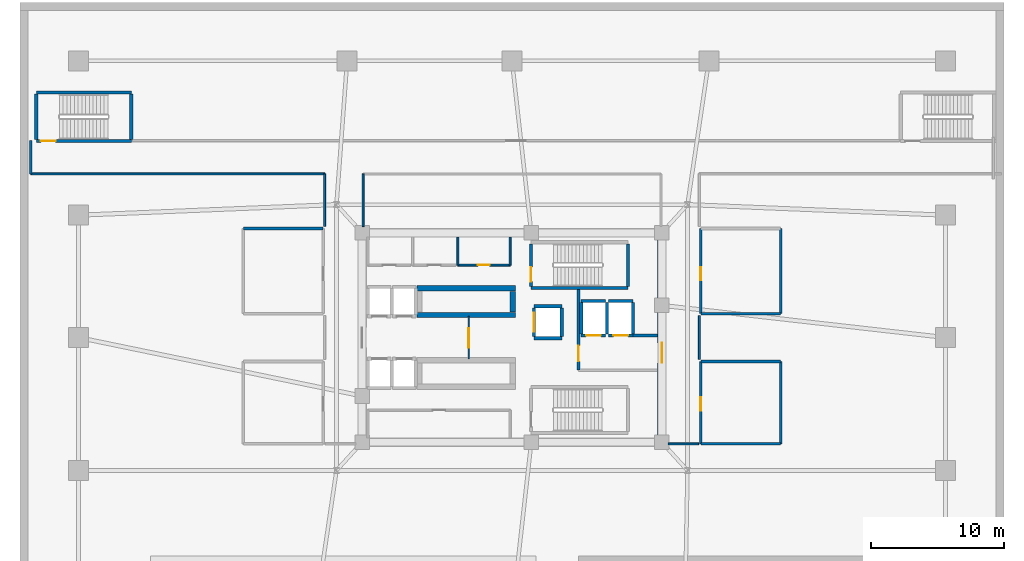
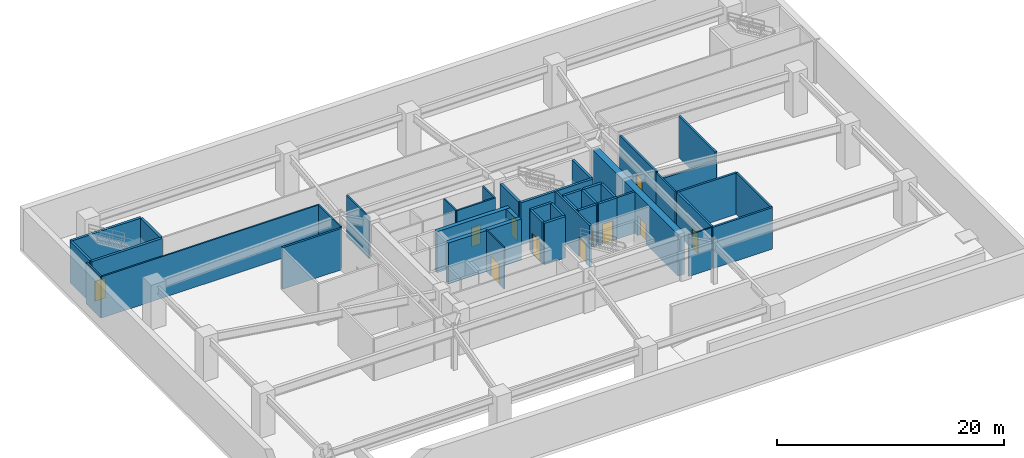
# One storey, part 4 of 7: 42 walls, 11 doors, 11 openings.
"""IFC4 building model written with IfcOpenShell, lengths in metres."""

from ifc_helpers import new_model, si_unit, direction, frame, frame_2d, origin, place, context, subcontext, project, spatial, rectangle, extrude, material, layer, layer_set, type_object, element, fill, save


model = new_model("IFC4")

# Units and contexts
model_context = context("Model", 3, precision=1e-05, world=origin(), true_north=direction((0.0, 1.0)))
body_context = subcontext(model_context, "Body", "Model", "MODEL_VIEW")
ifc_project = project(units=[si_unit("LENGTHUNIT", "METRE"), si_unit("AREAUNIT", "SQUARE_METRE"), si_unit("VOLUMEUNIT", "CUBIC_METRE"), si_unit("PLANEANGLEUNIT", "RADIAN"), si_unit("MASSUNIT", "GRAM", prefix="KILO")], contexts=[model_context])

# Site, building, storey
site_placement = place(None, origin())
site = spatial("IfcSite", under=ifc_project, at=site_placement, CompositionType="ELEMENT")
building_placement = place(site_placement, origin())
building = spatial("IfcBuilding", under=site, at=building_placement, Name="Zulverin Broadcast Headquarters", CompositionType="ELEMENT")
storey_placement = place(building_placement, frame((0.0, 0.0, -4.800048828125)))
storey = spatial("IfcBuildingStorey", under=building, at=storey_placement, Name="B1", CompositionType="ELEMENT", Elevation=-4.800048828125)

# Wall, opening, door
ifc_material_1 = material(Name="Concrete C60/75", Category="concrete")
ifc_layer_1 = layer(ifc_material_1, 0.64990234375, Name="Concrete C60/75", Category="concrete")
ifc_layer_set_1 = layer_set([ifc_layer_1], Name="Concrete C60/75")
wall_type_1 = type_object("IfcWallType", Name="WL-CORE-650", PredefinedType="SHEAR", material=ifc_layer_set_1)
wall_1_placement = place(storey_placement, frame((48.27490234375, 17.64990234375, 0.0), z_axis=(0.0, 0.0, 1.0), x_axis=(0.0, 1.0, 0.0)))
wall_1 = element("IfcWall", 1, at=wall_1_placement, inside=storey, type_object=wall_type_1, Name="B1 Core East Shear Wall", PredefinedType="SHEAR", context=body_context, shape_type="SweptSolid", body=[
    extrude(rectangle(XDim=15.10009765625, YDim=0.64990234375, at=frame_2d((7.550048828125, 0.0))), origin(), (0.0, 0.0, 1.0), 4.449951171875),
])
opening_1_placement = place(wall_1_placement, frame((5.64990234375, 0.0, 0.0)))
opening_1 = element("IfcOpeningElement", 2, at=opening_1_placement, cuts=wall_1, Name="Opening D-B1-CE1", PredefinedType="OPENING", context=body_context, shape_type="SweptSolid", body=[
    extrude(rectangle(XDim=1.5, YDim=2.14990234375, at=frame_2d((0.75, 1.074951171875))), frame((0.0, 0.3349609375, 0.0), z_axis=(0.0, -1.0, 0.0), x_axis=(1.0, 0.0, 0.0)), (0.0, 0.0, 1.0), 0.669921875),
])
ifc_material_2 = material(Name="Fire-rated glazed steel frame", Category="steel")
door_type_1 = type_object("IfcDoorType", Name="DR-COR-1500", OperationType="DOUBLE_DOOR_SINGLE_SWING", PredefinedType="DOOR", material=ifc_material_2)
door_1_placement = place(opening_1_placement, origin())
door_1 = element("IfcDoor", 3, at=door_1_placement, inside=storey, type_object=door_type_1, Name="B1 Firefighting Lobby East Corridor Door", OperationType="DOUBLE_DOOR_SINGLE_SWING", OverallHeight=2.14990234375, OverallWidth=1.5, PredefinedType="DOOR", context=body_context, shape_type="SweptSolid", body=[
    extrude(rectangle(XDim=1.5, YDim=2.14990234375, at=frame_2d((0.75, 1.074951171875))), frame((0.0, 0.02490234375, 0.0), z_axis=(0.0, -1.0, 0.0), x_axis=(1.0, 0.0, 0.0)), (0.0, 0.0, 1.0), 0.050048828125),
])
fill(opening_1, door_1)

ifc_material_3 = material(Name="Concrete C40/50", Category="concrete")
ifc_layer_2 = layer(ifc_material_3, 0.199951171875, Name="Concrete C40/50", Category="concrete")
ifc_layer_set_2 = layer_set([ifc_layer_2], Name="Concrete C40/50")
wall_type_2 = type_object("IfcWallType", Name="WL-FFL-200", PredefinedType="SOLIDWALL", material=ifc_layer_set_2)
wall_2_placement = place(storey_placement, frame((42.0, 22.75, 0.0), z_axis=(0.0, 0.0, 1.0), x_axis=(0.0, 1.0, 0.0)))
wall_2 = element("IfcWall", 4, at=wall_2_placement, inside=storey, type_object=wall_type_2, Name="B1 Firefighting Lift Lobby West Wall", PredefinedType="SOLIDWALL", context=body_context, shape_type="SweptSolid", body=[
    extrude(rectangle(XDim=6.050048828125, YDim=0.199951171875, at=frame_2d((3.02490234375, 0.0))), origin(), (0.0, 0.0, 1.0), 4.449951171875),
])
opening_2_placement = place(wall_2_placement, frame((0.64990234375, 0.0, 0.0)))
opening_2 = element("IfcOpeningElement", 5, at=opening_2_placement, cuts=wall_2, Name="Opening D-B1-FFLW", PredefinedType="OPENING", context=body_context, shape_type="SweptSolid", body=[
    extrude(rectangle(XDim=1.199951171875, YDim=2.14990234375, at=frame_2d((0.60009765625, 1.074951171875))), frame((0.0, 0.10986328125, 0.0), z_axis=(0.0, -1.0, 0.0), x_axis=(1.0, 0.0, 0.0)), (0.0, 0.0, 1.0), 0.219970703125),
])
ifc_material_4 = material(Name="Fire-rated steel leaf and frame", Category="steel")
door_type_2 = type_object("IfcDoorType", Name="DR-FFL-1200", OperationType="SINGLE_SWING_RIGHT", PredefinedType="DOOR", material=ifc_material_4)
door_2_placement = place(opening_2_placement, origin())
door_2 = element("IfcDoor", 6, at=door_2_placement, inside=storey, type_object=door_type_2, Name="B1 Firefighting Lift Lobby Door", OperationType="SINGLE_SWING_RIGHT", OverallHeight=2.14990234375, OverallWidth=1.199951171875, PredefinedType="DOOR", context=body_context, shape_type="SweptSolid", body=[
    extrude(rectangle(XDim=1.199951171875, YDim=2.14990234375, at=frame_2d((0.60009765625, 1.074951171875))), frame((0.0, 0.02490234375, 0.0), z_axis=(0.0, -1.0, 0.0), x_axis=(1.0, 0.0, 0.0)), (0.0, 0.0, 1.0), 0.050048828125),
])
fill(opening_2, door_2)

# Walls
wall_3_placement = place(storey_placement, frame((46.10009765625, 25.35009765625, 0.0), z_axis=(0.0, 0.0, 1.0), x_axis=(1.0, 0.0, 0.0)))
element("IfcWall", 7, at=wall_3_placement, inside=storey, type_object=wall_type_2, Name="B1 Firefighting Lift Lobby North Wall", PredefinedType="SOLIDWALL", context=body_context, shape_type="SweptSolid", body=[
    extrude(rectangle(XDim=1.849853515625, YDim=0.199951171875, at=frame_2d((0.9248046875, 0.0))), origin(), (0.0, 0.0, 1.0), 4.449951171875),
])
for number, where, z_axis, x_axis, name in (
    (8, (16.800048828125, 33.39990234375, 0.0), (0.0, 0.0, 1.0), (1.0, 0.0, 0.0), "B1 Standby Diesel Generator Plant Room N Wall"),
    (9, (51.199951171875, 17.199951171875, 0.0), (0.0, 0.0, 1.0), (1.0, 0.0, 0.0), "B1 OB Van Technical Support & UPS Plant Room S Wall"),
    (10, (51.199951171875, 23.39990234375, 0.0), (0.0, 0.0, 1.0), (1.0, 0.0, 0.0), "B1 OB Van Technical Support & UPS Plant Room N Wall"),
):
    element("IfcWall", number, at=place(storey_placement, frame(where, z_axis=z_axis, x_axis=x_axis)), inside=storey, type_object=wall_type_2, Name=name, PredefinedType="SOLIDWALL", context=body_context, shape_type="SweptSolid", body=[
        extrude(rectangle(XDim=6.0, YDim=0.199951171875, at=frame_2d((3.0, 0.0))), origin(), (0.0, 0.0, 1.0), 4.449951171875),
    ])

# Wall, opening, door
wall_4_placement = place(storey_placement, frame((51.199951171875, 17.199951171875, 0.0), z_axis=(0.0, 0.0, 1.0), x_axis=(0.0, 1.0, 0.0)))
wall_4 = element("IfcWall", 11, at=wall_4_placement, inside=storey, type_object=wall_type_2, Name="B1 OB Van Technical Support & UPS Plant Room W Wall", PredefinedType="SOLIDWALL", context=body_context, shape_type="SweptSolid", body=[
    extrude(rectangle(XDim=6.199951171875, YDim=0.199951171875, at=frame_2d((3.10009765625, 0.0))), origin(), (0.0, 0.0, 1.0), 4.449951171875),
])
opening_3_placement = place(wall_4_placement, frame((2.5, 0.0, 0.0)))
opening_3 = element("IfcOpeningElement", 12, at=opening_3_placement, cuts=wall_4, Name="Opening D-B1-PLT3", PredefinedType="OPENING", context=body_context, shape_type="SweptSolid", body=[
    extrude(rectangle(XDim=1.0, YDim=2.1201171875, at=frame_2d((0.5, 1.06005859375))), frame((0.0, 0.10986328125, 0.0), z_axis=(0.0, -1.0, 0.0), x_axis=(1.0, 0.0, 0.0)), (0.0, 0.0, 1.0), 0.219970703125),
])
ifc_material_5 = material(Name="Hardwood veneer acoustic leaf", Category="wood")
door_type_3 = type_object("IfcDoorType", Name="DR-OFF-1000", OperationType="SINGLE_SWING_LEFT", PredefinedType="DOOR", material=ifc_material_5)
door_3_placement = place(opening_3_placement, origin())
door_3 = element("IfcDoor", 13, at=door_3_placement, inside=storey, type_object=door_type_3, Name="B1 OB Van Technical Support & UPS Plant Room Door", OperationType="SINGLE_SWING_RIGHT", OverallHeight=2.1201171875, OverallWidth=1.0, PredefinedType="DOOR", context=body_context, shape_type="SweptSolid", body=[
    extrude(rectangle(XDim=1.0, YDim=2.1201171875, at=frame_2d((0.5, 1.06005859375))), frame((0.0, 0.02490234375, 0.0), z_axis=(0.0, -1.0, 0.0), x_axis=(1.0, 0.0, 0.0)), (0.0, 0.0, 1.0), 0.050048828125),
])
fill(opening_3, door_3)

# Walls
wall_5_placement = place(storey_placement, frame((57.199951171875, 17.199951171875, 0.0), z_axis=(0.0, 0.0, 1.0), x_axis=(0.0, 1.0, 0.0)))
element("IfcWall", 14, at=wall_5_placement, inside=storey, type_object=wall_type_2, Name="B1 OB Van Technical Support & UPS Plant Room E Wall", PredefinedType="SOLIDWALL", context=body_context, shape_type="SweptSolid", body=[
    extrude(rectangle(XDim=6.199951171875, YDim=0.199951171875, at=frame_2d((3.10009765625, 0.0))), origin(), (0.0, 0.0, 1.0), 4.449951171875),
])
wall_6_placement = place(storey_placement, frame((51.199951171875, 27.0, 0.0), z_axis=(0.0, 0.0, 1.0), x_axis=(1.0, 0.0, 0.0)))
element("IfcWall", 15, at=wall_6_placement, inside=storey, type_object=wall_type_2, Name="B1 Secure Bicycle & Broadcast Kit Store S Wall", PredefinedType="SOLIDWALL", context=body_context, shape_type="SweptSolid", body=[
    extrude(rectangle(XDim=6.0, YDim=0.199951171875, at=frame_2d((3.0, 0.0))), origin(), (0.0, 0.0, 1.0), 3.550048828125),
])

# Wall, opening, door
wall_7_placement = place(storey_placement, frame((51.199951171875, 27.0, 0.0), z_axis=(0.0, 0.0, 1.0), x_axis=(0.0, 1.0, 0.0)))
wall_7 = element("IfcWall", 16, at=wall_7_placement, inside=storey, type_object=wall_type_2, Name="B1 Secure Bicycle & Broadcast Kit Store W Wall", PredefinedType="SOLIDWALL", context=body_context, shape_type="SweptSolid", body=[
    extrude(rectangle(XDim=6.39990234375, YDim=0.199951171875, at=frame_2d((3.199951171875, 0.0))), origin(), (0.0, 0.0, 1.0), 4.449951171875),
])
opening_4_placement = place(wall_7_placement, frame((2.5, 0.0, 0.0)))
opening_4 = element("IfcOpeningElement", 17, at=opening_4_placement, cuts=wall_7, Name="Opening D-B1-PLT4", PredefinedType="OPENING", context=body_context, shape_type="SweptSolid", body=[
    extrude(rectangle(XDim=1.0, YDim=2.1201171875, at=frame_2d((0.5, 1.06005859375))), frame((0.0, 0.10986328125, 0.0), z_axis=(0.0, -1.0, 0.0), x_axis=(1.0, 0.0, 0.0)), (0.0, 0.0, 1.0), 0.219970703125),
])
door_4_placement = place(opening_4_placement, origin())
door_4 = element("IfcDoor", 18, at=door_4_placement, inside=storey, type_object=door_type_3, Name="B1 Secure Bicycle & Broadcast Kit Store Door", OperationType="SINGLE_SWING_LEFT", OverallHeight=2.1201171875, OverallWidth=1.0, PredefinedType="DOOR", context=body_context, shape_type="SweptSolid", body=[
    extrude(rectangle(XDim=1.0, YDim=2.1201171875, at=frame_2d((0.5, 1.06005859375))), frame((0.0, 0.02490234375, 0.0), z_axis=(0.0, -1.0, 0.0), x_axis=(1.0, 0.0, 0.0)), (0.0, 0.0, 1.0), 0.050048828125),
])
fill(opening_4, door_4)

# Wall
wall_8_placement = place(storey_placement, frame((57.199951171875, 27.0, 0.0), z_axis=(0.0, 0.0, 1.0), x_axis=(0.0, 1.0, 0.0)))
element("IfcWall", 19, at=wall_8_placement, inside=storey, type_object=wall_type_2, Name="B1 Secure Bicycle & Broadcast Kit Store E Wall", PredefinedType="SOLIDWALL", context=body_context, shape_type="SweptSolid", body=[
    extrude(rectangle(XDim=6.39990234375, YDim=0.199951171875, at=frame_2d((3.199951171875, 0.0))), origin(), (0.0, 0.0, 1.0), 4.449951171875),
])

# Wall, opening, door
ifc_material_6 = material(Name="Fire-rated acoustic laminated glass screen", Category="glass")
ifc_layer_3 = layer(ifc_material_6, 0.10009765625, Name="Fire-rated acoustic laminated glass screen", Category="glass")
ifc_layer_set_3 = layer_set([ifc_layer_3], Name="Fire-rated acoustic laminated glass screen")
wall_type_3 = type_object("IfcWallType", Name="WL-GLAZ-100", PredefinedType="PARTITIONING", material=ifc_layer_set_3)
wall_9_placement = place(storey_placement, frame((33.75, 23.60009765625, 0.0), z_axis=(0.0, 0.0, 1.0), x_axis=(0.0, 1.0, 0.0)))
wall_9 = element("IfcWall", 20, at=wall_9_placement, inside=storey, type_object=wall_type_3, Name="B1 Core Lobby Acoustic Screen", PredefinedType="PARTITIONING", context=body_context, shape_type="SweptSolid", body=[
    extrude(rectangle(XDim=3.199951171875, YDim=0.10009765625, at=frame_2d((1.60009765625, 0.0))), origin(), (0.0, 0.0, 1.0), 4.449951171875),
])
opening_5_placement = place(wall_9_placement, frame((0.85009765625, 0.0, 0.0)))
opening_5 = element("IfcOpeningElement", 21, at=opening_5_placement, cuts=wall_9, Name="Opening D-B1-CL1", PredefinedType="OPENING", context=body_context, shape_type="SweptSolid", body=[
    extrude(rectangle(XDim=1.449951171875, YDim=2.1201171875, at=frame_2d((0.72509765625, 1.06005859375))), frame((0.0, 0.06005859375, 0.0), z_axis=(0.0, -1.0, 0.0), x_axis=(1.0, 0.0, 0.0)), (0.0, 0.0, 1.0), 0.1201171875),
])
ifc_material_7 = material(Name="Fire-rated acoustic glazed double leaf", Category="glass")
door_type_4 = type_object("IfcDoorType", Name="DR-GLZ-1450", OperationType="DOUBLE_DOOR_SINGLE_SWING", PredefinedType="DOOR", material=ifc_material_7)
door_5_placement = place(opening_5_placement, origin())
door_5 = element("IfcDoor", 22, at=door_5_placement, inside=storey, type_object=door_type_4, Name="B1 Core Lobby Vestibule Door", OperationType="DOUBLE_DOOR_SINGLE_SWING", OverallHeight=2.1201171875, OverallWidth=1.449951171875, PredefinedType="DOOR", context=body_context, shape_type="SweptSolid", body=[
    extrude(rectangle(XDim=1.449951171875, YDim=2.1201171875, at=frame_2d((0.72509765625, 1.06005859375))), frame((0.0, 0.02490234375, 0.0), z_axis=(0.0, -1.0, 0.0), x_axis=(1.0, 0.0, 0.0)), (0.0, 0.0, 1.0), 0.050048828125),
])
fill(opening_5, door_5)

ifc_material_8 = material(Name="Fire-rated gypsum stud partition", Category="gypsum")
ifc_layer_4 = layer(ifc_material_8, 0.14990234375, Name="Fire-rated gypsum stud partition", Category="gypsum")
ifc_layer_set_4 = layer_set([ifc_layer_4], Name="Fire-rated gypsum stud partition")
wall_type_4 = type_object("IfcWallType", Name="WL-PART-150", PredefinedType="PARTITIONING", material=ifc_layer_set_4)
wall_10_placement = place(storey_placement, frame((32.929931640625, 30.64990234375, 0.0), z_axis=(0.0, 0.0, 1.0), x_axis=(1.0, 0.0, 0.0)))
wall_10 = element("IfcWall", 23, at=wall_10_placement, inside=storey, type_object=wall_type_4, Name="B1 Core Electrical Switch Riser Front Wall", PredefinedType="PARTITIONING", context=body_context, shape_type="SweptSolid", body=[
    extrude(rectangle(XDim=3.920166015625, YDim=0.14990234375, at=frame_2d((1.9599609375, 0.0))), origin(), (0.0, 0.0, 1.0), 4.449951171875),
])
opening_6_placement = place(wall_10_placement, frame((1.510009765625, 0.0, 0.0)))
opening_6 = element("IfcOpeningElement", 24, at=opening_6_placement, cuts=wall_10, Name="Opening D-B1-NC3", PredefinedType="OPENING", context=body_context, shape_type="SweptSolid", body=[
    extrude(rectangle(XDim=0.89990234375, YDim=2.10009765625, at=frame_2d((0.449951171875, 1.050048828125))), frame((0.0, 0.0849609375, 0.0), z_axis=(0.0, -1.0, 0.0), x_axis=(1.0, 0.0, 0.0)), (0.0, 0.0, 1.0), 0.169921875),
])
ifc_material_9 = material(Name="Powder-coated steel access leaf", Category="steel")
door_type_5 = type_object("IfcDoorType", Name="DR-RISER-900", OperationType="SINGLE_SWING_LEFT", PredefinedType="DOOR", material=ifc_material_9)
door_6_placement = place(opening_6_placement, origin())
door_6 = element("IfcDoor", 25, at=door_6_placement, inside=storey, type_object=door_type_5, Name="B1 Electrical Switch Riser Door", OperationType="SINGLE_SWING_LEFT", OverallHeight=2.10009765625, OverallWidth=0.89990234375, PredefinedType="DOOR", context=body_context, shape_type="SweptSolid", body=[
    extrude(rectangle(XDim=0.89990234375, YDim=2.10009765625, at=frame_2d((0.449951171875, 1.050048828125))), frame((0.0, 0.02490234375, 0.0), z_axis=(0.0, -1.0, 0.0), x_axis=(1.0, 0.0, 0.0)), (0.0, 0.0, 1.0), 0.050048828125),
])
fill(opening_6, door_6)

# Walls
for number, where, z_axis, x_axis, name in (
    (26, (32.929931640625, 30.64990234375, 0.0), (0.0, 0.0, 1.0), (0.0, 1.0, 0.0), "B1 Core Electrical Switch Riser West Wall"),
    (27, (36.85009765625, 30.64990234375, 0.0), (0.0, 0.0, 1.0), (0.0, 1.0, 0.0), "B1 Core Electrical Switch Riser East Wall"),
):
    element("IfcWall", number, at=place(storey_placement, frame(where, z_axis=z_axis, x_axis=x_axis)), inside=storey, type_object=wall_type_4, Name=name, PredefinedType="PARTITIONING", context=body_context, shape_type="SweptSolid", body=[
        extrude(rectangle(XDim=2.10009765625, YDim=0.14990234375, at=frame_2d((1.050048828125, 0.0))), origin(), (0.0, 0.0, 1.0), 4.449951171875),
    ])
wall_11_placement = place(storey_placement, frame((51.10009765625, 23.56005859375, 0.0), z_axis=(0.0, 0.0, 1.0), x_axis=(0.0, 1.0, 0.0)))
element("IfcWall", 28, at=wall_11_placement, inside=storey, type_object=wall_type_4, Name="B1 Gallery Partition Wall CG-02", PredefinedType="PARTITIONING", context=body_context, shape_type="SweptSolid", body=[
    extrude(rectangle(XDim=3.280029296875, YDim=0.14990234375, at=frame_2d((1.64013671875, 0.0))), origin(), (0.0, 0.0, 1.0), 4.449951171875),
])
wall_12_placement = place(storey_placement, frame((25.800048828125, 33.5400390625, 0.0), z_axis=(0.0, 0.0, 1.0), x_axis=(0.0, 1.0, 0.0)))
element("IfcWall", 29, at=wall_12_placement, inside=storey, type_object=wall_type_4, Name="B1 Gallery Partition Wall CG-05", PredefinedType="PARTITIONING", context=body_context, shape_type="SweptSolid", body=[
    extrude(rectangle(XDim=3.9599609375, YDim=0.14990234375, at=frame_2d((1.97998046875, 0.0))), origin(), (0.0, 0.0, 1.0), 4.449951171875),
])
wall_13_placement = place(storey_placement, frame((22.89990234375, 33.56005859375, 0.0), z_axis=(0.0, 0.0, 1.0), x_axis=(0.0, 1.0, 0.0)))
element("IfcWall", 30, at=wall_13_placement, inside=storey, type_object=wall_type_4, Name="B1 Gallery Partition Wall CG-07", PredefinedType="PARTITIONING", context=body_context, shape_type="SweptSolid", body=[
    extrude(rectangle(XDim=3.93994140625, YDim=0.14990234375, at=frame_2d((1.969970703125, 0.0))), origin(), (0.0, 0.0, 1.0), 4.449951171875),
])
wall_14_placement = place(storey_placement, frame((48.739990234375, 17.199951171875, 0.0), z_axis=(0.0, 0.0, 1.0), x_axis=(1.0, 0.0, 0.0)))
element("IfcWall", 31, at=wall_14_placement, inside=storey, type_object=wall_type_4, Name="B1 Gallery Partition Wall CG-10", PredefinedType="PARTITIONING", context=body_context, shape_type="SweptSolid", body=[
    extrude(rectangle(XDim=2.300048828125, YDim=0.14990234375, at=frame_2d((1.14990234375, 0.0))), origin(), (0.0, 0.0, 1.0), 4.449951171875),
])
wall_15_placement = place(storey_placement, frame((0.800048828125, 37.5, 0.0), z_axis=(0.0, 0.0, 1.0), x_axis=(1.0, 0.0, 0.0)))
element("IfcWall", 32, at=wall_15_placement, inside=storey, type_object=wall_type_4, Name="B1 Gallery Partition Wall CG-11", PredefinedType="PARTITIONING", context=body_context, shape_type="SweptSolid", body=[
    extrude(rectangle(XDim=22.099853515625, YDim=0.14990234375, at=frame_2d((11.0498046875, 0.0))), origin(), (0.0, 0.0, 1.0), 4.449951171875),
])
ifc_material_10 = material(Name="Fire-rated acoustic stud wall", Category="gypsum")
ifc_layer_5 = layer(ifc_material_10, 0.175048828125, Name="Fire-rated acoustic stud wall", Category="gypsum")
ifc_layer_set_5 = layer_set([ifc_layer_5], Name="Fire-rated acoustic stud wall")
wall_type_5 = type_object("IfcWallType", Name="WL-PART-175", PredefinedType="PARTITIONING", material=ifc_layer_set_5)
wall_16_placement = place(storey_placement, frame((0.800048828125, 37.5, 0.0), z_axis=(0.0, 0.0, 1.0), x_axis=(0.0, 1.0, 0.0)))
element("IfcWall", 33, at=wall_16_placement, inside=storey, type_object=wall_type_5, Name="B1 Gallery Partition Wall CG-08", PredefinedType="PARTITIONING", context=body_context, shape_type="SweptSolid", body=[
    extrude(rectangle(XDim=2.5, YDim=0.175048828125, at=frame_2d((1.25, 0.0))), origin(), (0.0, 0.0, 1.0), 4.449951171875),
])
ifc_material_11 = material(Name="Concrete C50/60", Category="concrete")
ifc_layer_6 = layer(ifc_material_11, 0.39990234375, Name="Concrete C50/60", Category="concrete")
ifc_layer_set_6 = layer_set([ifc_layer_6], Name="Concrete C50/60")
wall_type_6 = type_object("IfcWallType", Name="WL-PIT-400", PredefinedType="SOLIDWALL", material=ifc_layer_set_6)
for number, where, z_axis, x_axis, name in (
    (34, (29.85009765625, 26.89990234375, 0.0), (0.0, 0.0, 1.0), (1.0, 0.0, 0.0), "B1 High-Rise Zoned Lift Pit Slab Support Wall S"),
    (35, (29.85009765625, 28.89990234375, 0.0), (0.0, 0.0, 1.0), (1.0, 0.0, 0.0), "B1 High-Rise Zoned Lift Pit Slab Support Wall N"),
):
    element("IfcWall", number, at=place(storey_placement, frame(where, z_axis=z_axis, x_axis=x_axis)), inside=storey, type_object=wall_type_6, Name=name, PredefinedType="SOLIDWALL", context=body_context, shape_type="SweptSolid", body=[
        extrude(rectangle(XDim=7.39990234375, YDim=0.39990234375, at=frame_2d((3.699951171875, 0.0))), origin(), (0.0, 0.0, 1.0), 4.400146484375),
    ])
wall_17_placement = place(storey_placement, frame((37.050048828125, 27.1201171875, 0.0), z_axis=(0.0, 0.0, 1.0), x_axis=(0.0, 1.0, 0.0)))
element("IfcWall", 36, at=wall_17_placement, inside=storey, type_object=wall_type_6, Name="B1 High-Rise Zoned Lift Pit Slab Support Wall E", PredefinedType="SOLIDWALL", context=body_context, shape_type="SweptSolid", body=[
    extrude(rectangle(XDim=1.559814453125, YDim=0.39990234375, at=frame_2d((0.77978515625, 0.0))), origin(), (0.0, 0.0, 1.0), 4.400146484375),
])
ifc_layer_7 = layer(ifc_material_11, 0.25, Name="Concrete C50/60", Category="concrete")
ifc_layer_set_7 = layer_set([ifc_layer_7], Name="Concrete C50/60")
wall_type_7 = type_object("IfcWallType", Name="WL-SHAFT-250", PredefinedType="SHEAR", material=ifc_layer_set_7)
wall_18_placement = place(storey_placement, frame((38.425048828125, 28.925048828125, 0.0), z_axis=(0.0, 0.0, 1.0), x_axis=(1.0, 0.0, 0.0)))
element("IfcWall", 37, at=wall_18_placement, inside=storey, type_object=wall_type_7, Name="B1 ST-1 Enclosure Wall S", PredefinedType="SHEAR", context=body_context, shape_type="SweptSolid", body=[
    extrude(rectangle(XDim=7.300048828125, YDim=0.25, at=frame_2d((3.64990234375, 0.0))), origin(), (0.0, 0.0, 1.0), 4.449951171875),
])

# Wall, opening, door
wall_19_placement = place(storey_placement, frame((38.425048828125, 29.050048828125, 0.0), z_axis=(0.0, 0.0, 1.0), x_axis=(0.0, 1.0, 0.0)))
wall_19 = element("IfcWall", 38, at=wall_19_placement, inside=storey, type_object=wall_type_7, Name="B1 ST-1 Enclosure Wall W", PredefinedType="SHEAR", context=body_context, shape_type="SweptSolid", body=[
    extrude(rectangle(XDim=3.199951171875, YDim=0.25, at=frame_2d((1.60009765625, 0.0))), origin(), (0.0, 0.0, 1.0), 4.449951171875),
])
opening_7_placement = place(wall_19_placement, frame((0.35009765625, 0.0, 0.0)))
opening_7 = element("IfcOpeningElement", 39, at=opening_7_placement, cuts=wall_19, Name="Opening D-B1-ST-1", PredefinedType="OPENING", context=body_context, shape_type="SweptSolid", body=[
    extrude(rectangle(XDim=1.10009765625, YDim=2.14990234375, at=frame_2d((0.550048828125, 1.074951171875))), frame((0.0, 0.135009765625, 0.0), z_axis=(0.0, -1.0, 0.0), x_axis=(1.0, 0.0, 0.0)), (0.0, 0.0, 1.0), 0.27001953125),
])
door_type_6 = type_object("IfcDoorType", Name="DR-STAIR-1100", OperationType="SINGLE_SWING_LEFT", PredefinedType="DOOR", material=ifc_material_4)
door_7_placement = place(opening_7_placement, origin())
door_7 = element("IfcDoor", 40, at=door_7_placement, inside=storey, type_object=door_type_6, Name="B1 Exit Stair ST-1 Fire Door", OperationType="SINGLE_SWING_LEFT", OverallHeight=2.14990234375, OverallWidth=1.10009765625, PredefinedType="DOOR", context=body_context, shape_type="SweptSolid", body=[
    extrude(rectangle(XDim=1.10009765625, YDim=2.14990234375, at=frame_2d((0.550048828125, 1.074951171875))), frame((0.0, 0.02490234375, 0.0), z_axis=(0.0, -1.0, 0.0), x_axis=(1.0, 0.0, 0.0)), (0.0, 0.0, 1.0), 0.050048828125),
])
fill(opening_7, door_7)

# Wall
wall_20_placement = place(storey_placement, frame((45.72509765625, 29.050048828125, 0.0), z_axis=(0.0, 0.0, 1.0), x_axis=(0.0, 1.0, 0.0)))
element("IfcWall", 41, at=wall_20_placement, inside=storey, type_object=wall_type_7, Name="B1 ST-1 Enclosure Wall E", PredefinedType="SHEAR", context=body_context, shape_type="SweptSolid", body=[
    extrude(rectangle(XDim=3.199951171875, YDim=0.25, at=frame_2d((1.60009765625, 0.0))), origin(), (0.0, 0.0, 1.0), 4.449951171875),
])

# Wall, opening, door
wall_21_placement = place(storey_placement, frame((1.22509765625, 39.97509765625, 0.0), z_axis=(0.0, 0.0, 1.0), x_axis=(1.0, 0.0, 0.0)))
wall_21 = element("IfcWall", 42, at=wall_21_placement, inside=storey, type_object=wall_type_7, Name="B1 ST-3 Enclosure Wall S", PredefinedType="SHEAR", context=body_context, shape_type="SweptSolid", body=[
    extrude(rectangle(XDim=7.14990234375, YDim=0.25, at=frame_2d((3.574951171875, 0.0))), origin(), (0.0, 0.0, 1.0), 4.449951171875),
])
opening_8_placement = place(wall_21_placement, frame((0.35009765625, 0.0, 0.0)))
opening_8 = element("IfcOpeningElement", 43, at=opening_8_placement, cuts=wall_21, Name="Opening D-B1-ST-3", PredefinedType="OPENING", context=body_context, shape_type="SweptSolid", body=[
    extrude(rectangle(XDim=1.10009765625, YDim=2.14990234375, at=frame_2d((0.550048828125, 1.074951171875))), frame((0.0, 0.135009765625, 0.0), z_axis=(0.0, -1.0, 0.0), x_axis=(1.0, 0.0, 0.0)), (0.0, 0.0, 1.0), 0.27001953125),
])
door_8_placement = place(opening_8_placement, origin())
door_8 = element("IfcDoor", 44, at=door_8_placement, inside=storey, type_object=door_type_6, Name="B1 Exit Stair ST-3 Fire Door", OperationType="SINGLE_SWING_LEFT", OverallHeight=2.14990234375, OverallWidth=1.10009765625, PredefinedType="DOOR", context=body_context, shape_type="SweptSolid", body=[
    extrude(rectangle(XDim=1.10009765625, YDim=2.14990234375, at=frame_2d((0.550048828125, 1.074951171875))), frame((0.0, 0.02490234375, 0.0), z_axis=(0.0, -1.0, 0.0), x_axis=(1.0, 0.0, 0.0)), (0.0, 0.0, 1.0), 0.050048828125),
])
fill(opening_8, door_8)

# Walls
wall_22_placement = place(storey_placement, frame((1.22509765625, 43.625, 0.0), z_axis=(0.0, 0.0, 1.0), x_axis=(1.0, 0.0, 0.0)))
element("IfcWall", 45, at=wall_22_placement, inside=storey, type_object=wall_type_7, Name="B1 ST-3 Enclosure Wall N", PredefinedType="SHEAR", context=body_context, shape_type="SweptSolid", body=[
    extrude(rectangle(XDim=7.14990234375, YDim=0.25, at=frame_2d((3.574951171875, 0.0))), origin(), (0.0, 0.0, 1.0), 4.449951171875),
])
for number, where, z_axis, x_axis, name in (
    (46, (1.22509765625, 40.10009765625, 0.0), (0.0, 0.0, 1.0), (0.0, 1.0, 0.0), "B1 ST-3 Enclosure Wall W"),
    (47, (8.375, 40.10009765625, 0.0), (0.0, 0.0, 1.0), (0.0, 1.0, 0.0), "B1 ST-3 Enclosure Wall E"),
):
    element("IfcWall", number, at=place(storey_placement, frame(where, z_axis=z_axis, x_axis=x_axis)), inside=storey, type_object=wall_type_7, Name=name, PredefinedType="SHEAR", context=body_context, shape_type="SweptSolid", body=[
        extrude(rectangle(XDim=3.39990234375, YDim=0.25, at=frame_2d((1.699951171875, 0.0))), origin(), (0.0, 0.0, 1.0), 4.449951171875),
    ])

# Wall, opening, door
wall_23_placement = place(storey_placement, frame((42.199951171875, 25.35009765625, 0.0), z_axis=(0.0, 0.0, 1.0), x_axis=(1.0, 0.0, 0.0)))
wall_23 = element("IfcWall", 48, at=wall_23_placement, inside=storey, type_object=wall_type_7, Name="B1 Lift FFL-1 Shaft Wall S", PredefinedType="SHEAR", context=body_context, shape_type="SweptSolid", body=[
    extrude(rectangle(XDim=1.85009765625, YDim=0.25, at=frame_2d((0.925048828125, 0.0))), origin(), (0.0, 0.0, 1.0), 4.449951171875),
])
opening_9_placement = place(wall_23_placement, frame((0.375, 0.0, 0.0)))
opening_9 = element("IfcOpeningElement", 49, at=opening_9_placement, cuts=wall_23, Name="Opening LD-FFL-1-B1", PredefinedType="OPENING", context=body_context, shape_type="SweptSolid", body=[
    extrude(rectangle(XDim=1.10009765625, YDim=2.14990234375, at=frame_2d((0.550048828125, 1.074951171875))), frame((0.0, 0.135009765625, 0.0), z_axis=(0.0, -1.0, 0.0), x_axis=(1.0, 0.0, 0.0)), (0.0, 0.0, 1.0), 0.27001953125),
])
ifc_material_12 = material(Name="Fire-rated stainless landing door", Category="steel")
door_type_7 = type_object("IfcDoorType", Name="LD-FFL-1100", OperationType="DOUBLE_DOOR_SLIDING", PredefinedType="DOOR", material=ifc_material_12)
door_9_placement = place(opening_9_placement, origin())
door_9 = element("IfcDoor", 50, at=door_9_placement, inside=storey, type_object=door_type_7, Name="B1 Lift FFL-1 Sliding Landing Door", OperationType="DOUBLE_DOOR_SLIDING", OverallHeight=2.14990234375, OverallWidth=1.10009765625, PredefinedType="DOOR", context=body_context, shape_type="SweptSolid", body=[
    extrude(rectangle(XDim=1.10009765625, YDim=2.14990234375, at=frame_2d((0.550048828125, 1.074951171875))), frame((0.0, 0.02490234375, 0.0), z_axis=(0.0, -1.0, 0.0), x_axis=(1.0, 0.0, 0.0)), (0.0, 0.0, 1.0), 0.050048828125),
])
fill(opening_9, door_9)

# Walls
wall_24_placement = place(storey_placement, frame((42.199951171875, 27.949951171875, 0.0), z_axis=(0.0, 0.0, 1.0), x_axis=(1.0, 0.0, 0.0)))
element("IfcWall", 51, at=wall_24_placement, inside=storey, type_object=wall_type_7, Name="B1 Lift FFL-1 Shaft Wall N", PredefinedType="SHEAR", context=body_context, shape_type="SweptSolid", body=[
    extrude(rectangle(XDim=1.85009765625, YDim=0.25, at=frame_2d((0.925048828125, 0.0))), origin(), (0.0, 0.0, 1.0), 4.449951171875),
])
for number, where, z_axis, x_axis, name in (
    (52, (42.199951171875, 25.469970703125, 0.0), (0.0, 0.0, 1.0), (0.0, 1.0, 0.0), "B1 Lift FFL-1 Shaft Wall W"),
    (53, (44.14990234375, 25.469970703125, 0.0), (0.0, 0.0, 1.0), (0.0, 1.0, 0.0), "B1 Lift FFL-1 Shaft Wall E"),
):
    element("IfcWall", number, at=place(storey_placement, frame(where, z_axis=z_axis, x_axis=x_axis)), inside=storey, type_object=wall_type_7, Name=name, PredefinedType="SHEAR", context=body_context, shape_type="SweptSolid", body=[
        extrude(rectangle(XDim=2.360107421875, YDim=0.25, at=frame_2d((1.18017578125, 0.0))), origin(), (0.0, 0.0, 1.0), 4.449951171875),
    ])

# Wall, opening, door
wall_25_placement = place(storey_placement, frame((44.25, 25.35009765625, 0.0), z_axis=(0.0, 0.0, 1.0), x_axis=(1.0, 0.0, 0.0)))
wall_25 = element("IfcWall", 54, at=wall_25_placement, inside=storey, type_object=wall_type_7, Name="B1 Lift FFL-2 Shaft Wall S", PredefinedType="SHEAR", context=body_context, shape_type="SweptSolid", body=[
    extrude(rectangle(XDim=1.85009765625, YDim=0.25, at=frame_2d((0.925048828125, 0.0))), origin(), (0.0, 0.0, 1.0), 4.449951171875),
])
opening_10_placement = place(wall_25_placement, frame((0.375, 0.0, 0.0)))
opening_10 = element("IfcOpeningElement", 55, at=opening_10_placement, cuts=wall_25, Name="Opening LD-FFL-2-B1", PredefinedType="OPENING", context=body_context, shape_type="SweptSolid", body=[
    extrude(rectangle(XDim=1.10009765625, YDim=2.14990234375, at=frame_2d((0.550048828125, 1.074951171875))), frame((0.0, 0.135009765625, 0.0), z_axis=(0.0, -1.0, 0.0), x_axis=(1.0, 0.0, 0.0)), (0.0, 0.0, 1.0), 0.27001953125),
])
door_10_placement = place(opening_10_placement, origin())
door_10 = element("IfcDoor", 56, at=door_10_placement, inside=storey, type_object=door_type_7, Name="B1 Lift FFL-2 Sliding Landing Door", OperationType="DOUBLE_DOOR_SLIDING", OverallHeight=2.14990234375, OverallWidth=1.10009765625, PredefinedType="DOOR", context=body_context, shape_type="SweptSolid", body=[
    extrude(rectangle(XDim=1.10009765625, YDim=2.14990234375, at=frame_2d((0.550048828125, 1.074951171875))), frame((0.0, 0.02490234375, 0.0), z_axis=(0.0, -1.0, 0.0), x_axis=(1.0, 0.0, 0.0)), (0.0, 0.0, 1.0), 0.050048828125),
])
fill(opening_10, door_10)

# Walls
wall_26_placement = place(storey_placement, frame((44.25, 27.949951171875, 0.0), z_axis=(0.0, 0.0, 1.0), x_axis=(1.0, 0.0, 0.0)))
element("IfcWall", 57, at=wall_26_placement, inside=storey, type_object=wall_type_7, Name="B1 Lift FFL-2 Shaft Wall N", PredefinedType="SHEAR", context=body_context, shape_type="SweptSolid", body=[
    extrude(rectangle(XDim=1.85009765625, YDim=0.25, at=frame_2d((0.925048828125, 0.0))), origin(), (0.0, 0.0, 1.0), 4.449951171875),
])
wall_27_placement = place(storey_placement, frame((46.10009765625, 25.469970703125, 0.0), z_axis=(0.0, 0.0, 1.0), x_axis=(0.0, 1.0, 0.0)))
element("IfcWall", 58, at=wall_27_placement, inside=storey, type_object=wall_type_7, Name="B1 Lift FFL-2 Shaft Wall E", PredefinedType="SHEAR", context=body_context, shape_type="SweptSolid", body=[
    extrude(rectangle(XDim=2.360107421875, YDim=0.25, at=frame_2d((1.18017578125, 0.0))), origin(), (0.0, 0.0, 1.0), 4.449951171875),
])
for number, where, z_axis, x_axis, name in (
    (59, (38.64990234375, 25.14990234375, 0.0), (0.0, 0.0, 1.0), (1.0, 0.0, 0.0), "B1 Lift SVL-1 Shaft Wall S"),
    (60, (38.64990234375, 27.550048828125, 0.0), (0.0, 0.0, 1.0), (1.0, 0.0, 0.0), "B1 Lift SVL-1 Shaft Wall N"),
):
    element("IfcWall", number, at=place(storey_placement, frame(where, z_axis=z_axis, x_axis=x_axis)), inside=storey, type_object=wall_type_7, Name=name, PredefinedType="SHEAR", context=body_context, shape_type="SweptSolid", body=[
        extrude(rectangle(XDim=2.10009765625, YDim=0.25, at=frame_2d((1.050048828125, 0.0))), origin(), (0.0, 0.0, 1.0), 4.449951171875),
    ])

# Wall, opening, door
wall_28_placement = place(storey_placement, frame((38.64990234375, 25.27001953125, 0.0), z_axis=(0.0, 0.0, 1.0), x_axis=(0.0, 1.0, 0.0)))
wall_28 = element("IfcWall", 61, at=wall_28_placement, inside=storey, type_object=wall_type_7, Name="B1 Lift SVL-1 Shaft Wall W", PredefinedType="SHEAR", context=body_context, shape_type="SweptSolid", body=[
    extrude(rectangle(XDim=2.159912109375, YDim=0.25, at=frame_2d((1.080078125, 0.0))), origin(), (0.0, 0.0, 1.0), 4.449951171875),
])
opening_11_placement = place(wall_28_placement, frame((0.3798828125, 0.0, 0.0)))
opening_11 = element("IfcOpeningElement", 62, at=opening_11_placement, cuts=wall_28, Name="Opening LD-SVL-1-B1", PredefinedType="OPENING", context=body_context, shape_type="SweptSolid", body=[
    extrude(rectangle(XDim=1.39990234375, YDim=2.199951171875, at=frame_2d((0.699951171875, 1.10009765625))), frame((0.0, 0.135009765625, 0.0), z_axis=(0.0, -1.0, 0.0), x_axis=(1.0, 0.0, 0.0)), (0.0, 0.0, 1.0), 0.27001953125),
])
ifc_material_13 = material(Name="Heavy-duty stainless landing door", Category="steel")
door_type_8 = type_object("IfcDoorType", Name="LD-GOODS-1400", OperationType="DOUBLE_DOOR_SLIDING", PredefinedType="DOOR", material=ifc_material_13)
door_11_placement = place(opening_11_placement, origin())
door_11 = element("IfcDoor", 63, at=door_11_placement, inside=storey, type_object=door_type_8, Name="B1 Lift SVL-1 Sliding Landing Door", OperationType="DOUBLE_DOOR_SLIDING", OverallHeight=2.199951171875, OverallWidth=1.39990234375, PredefinedType="DOOR", context=body_context, shape_type="SweptSolid", body=[
    extrude(rectangle(XDim=1.39990234375, YDim=2.199951171875, at=frame_2d((0.699951171875, 1.10009765625))), frame((0.0, 0.02490234375, 0.0), z_axis=(0.0, -1.0, 0.0), x_axis=(1.0, 0.0, 0.0)), (0.0, 0.0, 1.0), 0.050048828125),
])
fill(opening_11, door_11)

# Wall
wall_29_placement = place(storey_placement, frame((40.75, 25.27001953125, 0.0), z_axis=(0.0, 0.0, 1.0), x_axis=(0.0, 1.0, 0.0)))
element("IfcWall", 64, at=wall_29_placement, inside=storey, type_object=wall_type_7, Name="B1 Lift SVL-1 Shaft Wall E", PredefinedType="SHEAR", context=body_context, shape_type="SweptSolid", body=[
    extrude(rectangle(XDim=2.159912109375, YDim=0.25, at=frame_2d((1.080078125, 0.0))), origin(), (0.0, 0.0, 1.0), 4.449951171875),
])

save(model, "model.ifc")
